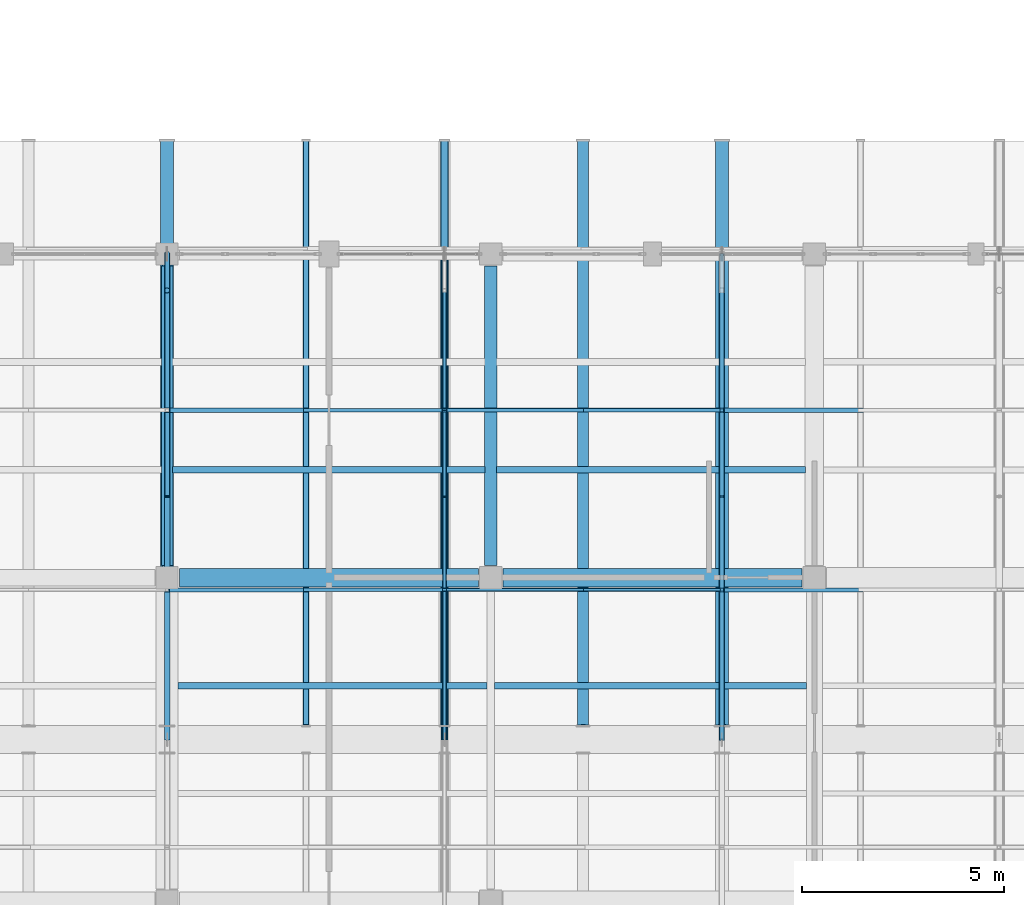
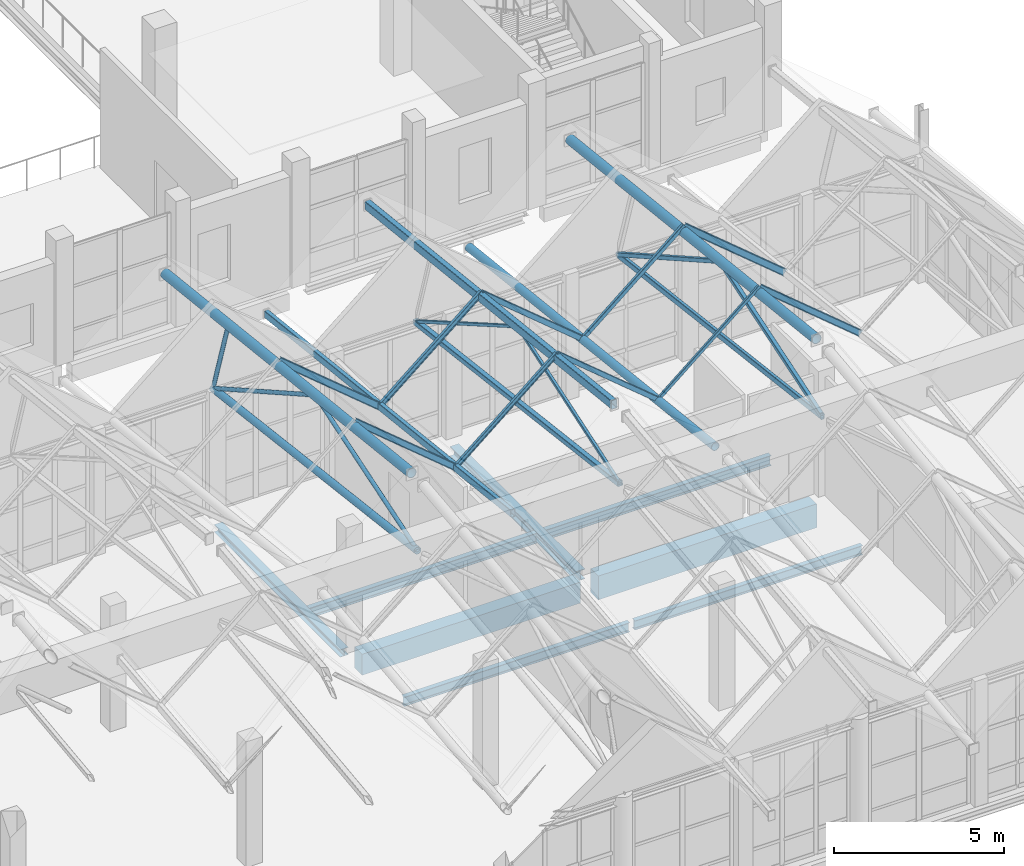
# One storey, part 80 of 183: 20 members, 13 beams.
"""IFC4 building model written with IfcOpenShell, lengths in metres."""

from ifc_helpers import new_model, si_unit, direction, frame, origin, origin_2d, place, context, subcontext, project, spatial, rectangle, hollow_rectangle, hollow_circle, i_section, extrude, material, material_profile, profile_set, type_object, element, save


model = new_model("IFC4")

# Units and contexts
model_context = context("Model", 3, precision=1e-05, world=origin(), true_north=direction((0.0, 1.0)))
body_context = subcontext(model_context, "Body", "Model", "MODEL_VIEW")
ifc_project = project(units=[si_unit("LENGTHUNIT", "METRE"), si_unit("AREAUNIT", "SQUARE_METRE"), si_unit("VOLUMEUNIT", "CUBIC_METRE"), si_unit("PLANEANGLEUNIT", "RADIAN"), si_unit("MASSUNIT", "GRAM", prefix="KILO")], contexts=[model_context])

# Site, building, storey
site_placement = place(None, origin())
site = spatial("IfcSite", under=ifc_project, at=site_placement, CompositionType="ELEMENT")
building_placement = place(site_placement, origin())
building = spatial("IfcBuilding", under=site, at=building_placement, Name="Luwemba Playhouse", CompositionType="ELEMENT")
storey_placement = place(building_placement, frame((0.0, 0.0, 4.800048828125)))
storey = spatial("IfcBuildingStorey", under=building, at=storey_placement, Name="L01", CompositionType="ELEMENT", Elevation=4.800048828125)

# Beams
ifc_material_1 = material(Name="Concrete C40/50", Category="concrete")
ifc_material_profile_1 = material_profile(ifc_material_1, rectangle(XDim=0.449951171875, YDim=0.75, at=origin_2d()))
ifc_profile_set_1 = profile_set([ifc_material_profile_1], Name="Concrete C40/50")
beam_type_1 = type_object("IfcBeamType", Name="BM-RB04", PredefinedType="BEAM", material=ifc_profile_set_1)
beam_1_placement = place(storey_placement, frame((148.300048828125, 19.0, -0.625), z_axis=(1.0, 0.0, 0.0), x_axis=(0.0, 1.0, 0.0)))
element("IfcBeam", 1, at=beam_1_placement, inside=storey, type_object=beam_type_1, Name="L01 grid girder 0534", PredefinedType="BEAM", context=body_context, shape_type="SweptSolid", body=[
    extrude(rectangle(XDim=0.449951171875, YDim=0.75, at=origin_2d()), origin(), (0.0, 0.0, 1.0), 7.39990234375),
])
ifc_material_profile_2 = material_profile(ifc_material_1, rectangle(XDim=0.449951171875, YDim=0.85009765625, at=origin_2d()))
ifc_profile_set_2 = profile_set([ifc_material_profile_2], Name="Concrete C40/50")
beam_type_2 = type_object("IfcBeamType", Name="BM-RB05", PredefinedType="BEAM", material=ifc_profile_set_2)
beam_2_placement = place(storey_placement, frame((156.300048828125, 19.0, -0.675048828125), z_axis=(1.0, 0.0, 0.0), x_axis=(0.0, 1.0, 0.0)))
element("IfcBeam", 2, at=beam_2_placement, inside=storey, type_object=beam_type_2, Name="L01 grid girder 0535", PredefinedType="BEAM", context=body_context, shape_type="SweptSolid", body=[
    extrude(rectangle(XDim=0.449951171875, YDim=0.85009765625, at=origin_2d()), origin(), (0.0, 0.0, 1.0), 7.39990234375),
])
ifc_material_2 = material(Name="Steel S355", Category="steel")
ifc_material_profile_3 = material_profile(ifc_material_2, hollow_rectangle(XDim=0.14990234375, YDim=0.25, WallThickness=0.010009765625, InnerFilletRadius=0.014892578125, OuterFilletRadius=0.02490234375, at=origin_2d()))
ifc_profile_set_3 = profile_set([ifc_material_profile_3], Name="Steel S355")
beam_type_3 = type_object("IfcBeamType", Name="BM-RTG1", PredefinedType="USERDEFINED", material=ifc_profile_set_3)
beam_3_placement = place(storey_placement, frame((151.4287109375, 15.35009765625, 5.78466796875), z_axis=(0.0, 0.993786292845, -0.111305005073), x_axis=(-1.0, 0.0, 0.0)))
element("IfcBeam", 3, at=beam_3_placement, inside=storey, type_object=beam_type_3, Name="ROOF TRUSS valley girder 0329", ObjectType="ROOF TRUSS", PredefinedType="USERDEFINED", context=body_context, shape_type="SweptSolid", body=[
    extrude(hollow_rectangle(XDim=0.14990234375, YDim=0.25, WallThickness=0.010009765625, InnerFilletRadius=0.014892578125, OuterFilletRadius=0.02490234375, at=origin_2d()), origin(), (0.0, 0.0, 1.0), 14.540283203125),
])
ifc_material_profile_4 = material_profile(ifc_material_2, hollow_rectangle(XDim=0.199951171875, YDim=0.300048828125, WallThickness=0.012451171875, InnerFilletRadius=0.018798828125, OuterFilletRadius=0.03125, at=origin_2d()))
ifc_profile_set_4 = profile_set([ifc_material_profile_4], Name="Steel S355")
beam_type_4 = type_object("IfcBeamType", Name="BM-RTG2", PredefinedType="USERDEFINED", material=ifc_profile_set_4)
beam_4_placement = place(storey_placement, frame((154.857177734375, 15.35009765625, 8.489013671875), z_axis=(0.0, 0.993786292845, -0.111305005073), x_axis=(-1.0, 0.0, 0.0)))
element("IfcBeam", 4, at=beam_4_placement, inside=storey, type_object=beam_type_4, Name="ROOF TRUSS ridge girder 0331", ObjectType="ROOF TRUSS", PredefinedType="USERDEFINED", context=body_context, shape_type="SweptSolid", body=[
    extrude(hollow_rectangle(XDim=0.199951171875, YDim=0.300048828125, WallThickness=0.012451171875, InnerFilletRadius=0.018798828125, OuterFilletRadius=0.03125, at=origin_2d()), origin(), (0.0, 0.0, 1.0), 14.540283203125),
])
ifc_material_profile_5 = material_profile(ifc_material_2, hollow_circle(Radius=0.136474609375, WallThickness=0.012451171875, at=origin_2d()))
ifc_profile_set_5 = profile_set([ifc_material_profile_5], Name="Steel S355")
beam_type_5 = type_object("IfcBeamType", Name="BM-RTG3", PredefinedType="USERDEFINED", material=ifc_profile_set_5)
beam_5_placement = place(storey_placement, frame((158.28564453125, 15.35009765625, 5.773193359375), z_axis=(0.0, 0.993786292845, -0.111305005073), x_axis=(-1.0, 0.0, 0.0)))
element("IfcBeam", 5, at=beam_5_placement, inside=storey, type_object=beam_type_5, Name="ROOF TRUSS valley girder 0333", ObjectType="ROOF TRUSS", PredefinedType="USERDEFINED", context=body_context, shape_type="SweptSolid", body=[
    extrude(hollow_circle(Radius=0.136474609375, WallThickness=0.012451171875, at=origin_2d()), origin(), (0.0, 0.0, 1.0), 14.540283203125),
])
ifc_material_profile_6 = material_profile(ifc_material_2, hollow_circle(Radius=0.161865234375, WallThickness=0.01611328125, at=origin_2d()))
ifc_profile_set_6 = profile_set([ifc_material_profile_6], Name="Steel S355")
beam_type_6 = type_object("IfcBeamType", Name="BM-RTG4", PredefinedType="USERDEFINED", material=ifc_profile_set_6)
for number, where, z_axis, x_axis, name in (
    (6, (148.0, 15.35009765625, 8.425537109375), (0.0, 0.993786292845, -0.111305005073), (-1.0, 0.0, 0.0), "ROOF TRUSS ridge girder 0327"),
    (7, (161.71435546875, 15.35009765625, 8.425537109375), (0.0, 0.993786292845, -0.111305005073), (-1.0, 0.0, 0.0), "ROOF TRUSS ridge girder 0335"),
):
    element("IfcBeam", number, at=place(storey_placement, frame(where, z_axis=z_axis, x_axis=x_axis)), inside=storey, type_object=beam_type_6, Name=name, ObjectType="ROOF TRUSS", PredefinedType="USERDEFINED", context=body_context, shape_type="SweptSolid", body=[
        extrude(hollow_circle(Radius=0.161865234375, WallThickness=0.01611328125, at=origin_2d()), origin(), (0.0, 0.0, 1.0), 14.540283203125),
    ])
ifc_material_profile_7 = material_profile(ifc_material_2, i_section(OverallWidth=0.280029296875, OverallDepth=0.27001953125, WebThickness=0.008056640625, FlangeThickness=0.012939453125, FilletRadius=0.02392578125, at=origin_2d()))
ifc_profile_set_7 = profile_set([ifc_material_profile_7], Name="Steel S355")
beam_type_7 = type_object("IfcBeamType", Name="BM-SB02", PredefinedType="BEAM", material=ifc_profile_set_7)
beam_6_placement = place(storey_placement, frame((148.0, 19.300048828125, -0.385009765625), z_axis=(0.0, 1.0, 0.0), x_axis=(-1.0, 0.0, 0.0)))
element("IfcBeam", 8, at=beam_6_placement, inside=storey, type_object=beam_type_7, Name="L01 transverse girder 0554", PredefinedType="BEAM", context=body_context, shape_type="SweptSolid", body=[
    extrude(i_section(OverallWidth=0.280029296875, OverallDepth=0.27001953125, WebThickness=0.008056640625, FlangeThickness=0.012939453125, FilletRadius=0.02392578125, at=origin_2d()), origin(), (0.0, 0.0, 1.0), 7.39990234375),
])
ifc_material_profile_8 = material_profile(ifc_material_2, i_section(OverallWidth=0.300048828125, OverallDepth=0.360107421875, WebThickness=0.012451171875, FlangeThickness=0.0224609375, FilletRadius=0.027099609375, at=origin_2d()))
ifc_profile_set_8 = profile_set([ifc_material_profile_8], Name="Steel S355")
beam_type_8 = type_object("IfcBeamType", Name="BM-SB09", PredefinedType="BEAM", material=ifc_profile_set_8)
beam_7_placement = place(storey_placement, frame((156.0, 19.300048828125, -0.429931640625), z_axis=(0.0, 1.0, 0.0), x_axis=(-1.0, 0.0, 0.0)))
element("IfcBeam", 9, at=beam_7_placement, inside=storey, type_object=beam_type_8, Name="L01 transverse girder 0557", PredefinedType="BEAM", context=body_context, shape_type="SweptSolid", body=[
    extrude(i_section(OverallWidth=0.300048828125, OverallDepth=0.360107421875, WebThickness=0.012451171875, FlangeThickness=0.0224609375, FilletRadius=0.027099609375, at=origin_2d()), origin(), (0.0, 0.0, 1.0), 7.39990234375),
])
ifc_material_profile_9 = material_profile(ifc_material_2, i_section(OverallWidth=0.159912109375, OverallDepth=0.330078125, WebThickness=0.007568359375, FlangeThickness=0.011474609375, FilletRadius=0.01806640625, at=origin_2d()))
ifc_profile_set_9 = profile_set([ifc_material_profile_9], Name="Steel S355")
beam_type_9 = type_object("IfcBeamType", Name="BM-SJ06", PredefinedType="JOIST", material=ifc_profile_set_9)
beam_8_placement = place(storey_placement, frame((148.27099609375, 16.333251953125, -0.4150390625), z_axis=(1.0, 0.0, 0.0), x_axis=(0.0, 1.0, 0.0)))
element("IfcBeam", 10, at=beam_8_placement, inside=storey, type_object=beam_type_9, Name="L01 composite floor joist 0325", PredefinedType="JOIST", context=body_context, shape_type="SweptSolid", body=[
    extrude(i_section(OverallWidth=0.159912109375, OverallDepth=0.330078125, WebThickness=0.007568359375, FlangeThickness=0.011474609375, FilletRadius=0.01806640625, at=origin_2d()), origin(), (0.0, 0.0, 1.0), 7.637939453125),
])
beam_9_placement = place(storey_placement, frame((156.091064453125, 16.333251953125, -0.4150390625), z_axis=(1.0, 0.0, 0.0), x_axis=(0.0, 1.0, 0.0)))
element("IfcBeam", 11, at=beam_9_placement, inside=storey, type_object=beam_type_9, Name="L01 composite floor joist 0331", PredefinedType="JOIST", context=body_context, shape_type="SweptSolid", body=[
    extrude(i_section(OverallWidth=0.159912109375, OverallDepth=0.330078125, WebThickness=0.007568359375, FlangeThickness=0.011474609375, FilletRadius=0.01806640625, at=origin_2d()), origin(), (0.0, 0.0, 1.0), 7.712890625),
])
ifc_material_profile_10 = material_profile(ifc_material_2, i_section(OverallWidth=0.169921875, OverallDepth=0.360107421875, WebThickness=0.008056640625, FlangeThickness=0.0126953125, FilletRadius=0.01806640625, at=origin_2d()))
ifc_profile_set_10 = profile_set([ifc_material_profile_10], Name="Steel S355")
beam_type_10 = type_object("IfcBeamType", Name="BM-SJ07", PredefinedType="JOIST", material=ifc_profile_set_10)
beam_10_placement = place(storey_placement, frame((148.135986328125, 21.666748046875, -0.429931640625), z_axis=(1.0, 0.0, 0.0), x_axis=(0.0, 1.0, 0.0)))
element("IfcBeam", 12, at=beam_10_placement, inside=storey, type_object=beam_type_10, Name="L01 composite floor joist 0326", PredefinedType="JOIST", context=body_context, shape_type="SweptSolid", body=[
    extrude(i_section(OverallWidth=0.169921875, OverallDepth=0.360107421875, WebThickness=0.008056640625, FlangeThickness=0.0126953125, FilletRadius=0.01806640625, at=origin_2d()), origin(), (0.0, 0.0, 1.0), 7.718017578125),
])
beam_11_placement = place(storey_placement, frame((156.14599609375, 21.666748046875, -0.429931640625), z_axis=(1.0, 0.0, 0.0), x_axis=(0.0, 1.0, 0.0)))
element("IfcBeam", 13, at=beam_11_placement, inside=storey, type_object=beam_type_10, Name="L01 composite floor joist 0332", PredefinedType="JOIST", context=body_context, shape_type="SweptSolid", body=[
    extrude(i_section(OverallWidth=0.169921875, OverallDepth=0.360107421875, WebThickness=0.008056640625, FlangeThickness=0.0126953125, FilletRadius=0.01806640625, at=origin_2d()), origin(), (0.0, 0.0, 1.0), 7.633056640625),
])

# Members
ifc_material_profile_11 = material_profile(ifc_material_2, hollow_circle(Radius=0.06982421875, WallThickness=0.008056640625, at=origin_2d()))
ifc_profile_set_11 = profile_set([ifc_material_profile_11], Name="Steel S355")
member_type_1 = type_object("IfcMemberType", Name="MEM-MB01", PredefinedType="BRACE", material=ifc_profile_set_11)
member_1_placement = place(storey_placement, frame((148.0, 15.0, 5.864013671875), z_axis=(0.0, 0.952022112225, 0.306029243432), x_axis=(-1.0, 0.0, 0.0)))
element("IfcMember", 14, at=member_1_placement, inside=storey, type_object=member_type_1, Name="ROOF TRUSS web diagonal 0287", PredefinedType="BRACE", context=body_context, shape_type="SweptSolid", body=[
    extrude(hollow_circle(Radius=0.06982421875, WallThickness=0.008056640625, at=origin_2d()), origin(), (0.0, 0.0, 1.0), 6.302490234375),
])
member_2_placement = place(storey_placement, frame((148.0, 27.0, 4.39990234375), z_axis=(0.0, -0.870468489249, 0.492224145308), x_axis=(1.0, 0.0, 0.0)))
element("IfcMember", 15, at=member_2_placement, inside=storey, type_object=member_type_1, Name="ROOF TRUSS web diagonal 0288", PredefinedType="BRACE", context=body_context, shape_type="SweptSolid", body=[
    extrude(hollow_circle(Radius=0.06982421875, WallThickness=0.008056640625, at=origin_2d()), origin(), (0.0, 0.0, 1.0), 6.892822265625),
])
member_3_placement = place(storey_placement, frame((148.0, 27.0, 4.39990234375), z_axis=(0.0, -0.303860291907, 0.95271660162), x_axis=(1.0, 0.0, 0.0)))
element("IfcMember", 16, at=member_3_placement, inside=storey, type_object=member_type_1, Name="ROOF TRUSS eave knee strut 0079", PredefinedType="BRACE", context=body_context, shape_type="SweptSolid", body=[
    extrude(hollow_circle(Radius=0.06982421875, WallThickness=0.008056640625, at=origin_2d()), origin(), (0.0, 0.0, 1.0), 2.961669921875),
])
ifc_material_profile_12 = material_profile(ifc_material_2, hollow_rectangle(XDim=0.10009765625, YDim=0.10009765625, WallThickness=0.00634765625, InnerFilletRadius=0.009521484375, OuterFilletRadius=0.015869140625, at=origin_2d()))
ifc_profile_set_12 = profile_set([ifc_material_profile_12], Name="Steel S355")
member_type_2 = type_object("IfcMemberType", Name="MEM-MB05", PredefinedType="BRACE", material=ifc_profile_set_12)
member_4_placement = place(storey_placement, frame((154.857177734375, 15.0, 5.864013671875), z_axis=(0.0, 0.949053370106, 0.315115376793), x_axis=(-1.0, 0.0, 0.0)))
element("IfcMember", 17, at=member_4_placement, inside=storey, type_object=member_type_2, Name="ROOF TRUSS web diagonal 0293", PredefinedType="BRACE", context=body_context, shape_type="SweptSolid", body=[
    extrude(hollow_rectangle(XDim=0.10009765625, YDim=0.10009765625, WallThickness=0.00634765625, InnerFilletRadius=0.009521484375, OuterFilletRadius=0.015869140625, at=origin_2d()), origin(), (0.0, 0.0, 1.0), 6.322021484375),
])
member_5_placement = place(storey_placement, frame((154.857177734375, 27.0, 4.39990234375), z_axis=(0.0, -0.866512940122, 0.499154609917), x_axis=(1.0, 0.0, 0.0)))
element("IfcMember", 18, at=member_5_placement, inside=storey, type_object=member_type_2, Name="ROOF TRUSS web diagonal 0294", PredefinedType="BRACE", context=body_context, shape_type="SweptSolid", body=[
    extrude(hollow_rectangle(XDim=0.10009765625, YDim=0.10009765625, WallThickness=0.00634765625, InnerFilletRadius=0.009521484375, OuterFilletRadius=0.015869140625, at=origin_2d()), origin(), (0.0, 0.0, 1.0), 6.92431640625),
])
ifc_material_profile_13 = material_profile(ifc_material_2, hollow_rectangle(XDim=0.139892578125, YDim=0.139892578125, WallThickness=0.008056640625, InnerFilletRadius=0.011962890625, OuterFilletRadius=0.02001953125, at=origin_2d()))
ifc_profile_set_13 = profile_set([ifc_material_profile_13], Name="Steel S355")
member_type_3 = type_object("IfcMemberType", Name="MEM-MB07", PredefinedType="BRACE", material=ifc_profile_set_13)
member_6_placement = place(storey_placement, frame((161.71435546875, 15.0, 5.864013671875), z_axis=(0.0, 0.952022112225, 0.306029243432), x_axis=(-1.0, 0.0, 0.0)))
element("IfcMember", 19, at=member_6_placement, inside=storey, type_object=member_type_3, Name="ROOF TRUSS web diagonal 0299", PredefinedType="BRACE", context=body_context, shape_type="SweptSolid", body=[
    extrude(hollow_rectangle(XDim=0.139892578125, YDim=0.139892578125, WallThickness=0.008056640625, InnerFilletRadius=0.011962890625, OuterFilletRadius=0.02001953125, at=origin_2d()), origin(), (0.0, 0.0, 1.0), 6.302490234375),
])
member_7_placement = place(storey_placement, frame((161.71435546875, 27.0, 4.39990234375), z_axis=(0.0, -0.870468489249, 0.492224145308), x_axis=(1.0, 0.0, 0.0)))
element("IfcMember", 20, at=member_7_placement, inside=storey, type_object=member_type_3, Name="ROOF TRUSS web diagonal 0300", PredefinedType="BRACE", context=body_context, shape_type="SweptSolid", body=[
    extrude(hollow_rectangle(XDim=0.139892578125, YDim=0.139892578125, WallThickness=0.008056640625, InnerFilletRadius=0.011962890625, OuterFilletRadius=0.02001953125, at=origin_2d()), origin(), (0.0, 0.0, 1.0), 6.892822265625),
])
ifc_material_profile_14 = material_profile(ifc_material_2, hollow_circle(Radius=0.122314453125, WallThickness=0.012451171875, at=origin_2d()))
ifc_profile_set_14 = profile_set([ifc_material_profile_14], Name="Steel S355")
member_type_4 = type_object("IfcMemberType", Name="MEM-MC01", PredefinedType="CHORD", material=ifc_profile_set_14)
member_8_placement = place(storey_placement, frame((148.0, 15.0, 5.864013671875), z_axis=(0.0, 0.992638950812, -0.121111161052), x_axis=(-1.0, 0.0, 0.0)))
element("IfcMember", 21, at=member_8_placement, inside=storey, type_object=member_type_4, Name="ROOF TRUSS north bottom chord 0284", PredefinedType="CHORD", context=body_context, shape_type="SweptSolid", body=[
    extrude(hollow_circle(Radius=0.122314453125, WallThickness=0.012451171875, at=origin_2d()), origin(), (0.0, 0.0, 1.0), 12.0888671875),
])
ifc_material_profile_15 = material_profile(ifc_material_2, hollow_rectangle(XDim=0.179931640625, YDim=0.179931640625, WallThickness=0.010009765625, InnerFilletRadius=0.014892578125, OuterFilletRadius=0.02490234375, at=origin_2d()))
ifc_profile_set_15 = profile_set([ifc_material_profile_15], Name="Steel S355")
member_type_5 = type_object("IfcMemberType", Name="MEM-MC03", PredefinedType="CHORD", material=ifc_profile_set_15)
member_9_placement = place(storey_placement, frame((154.857177734375, 15.0, 5.864013671875), z_axis=(0.0, 0.992638950812, -0.121111161052), x_axis=(-1.0, 0.0, 0.0)))
element("IfcMember", 22, at=member_9_placement, inside=storey, type_object=member_type_5, Name="ROOF TRUSS north bottom chord 0290", PredefinedType="CHORD", context=body_context, shape_type="SweptSolid", body=[
    extrude(hollow_rectangle(XDim=0.179931640625, YDim=0.179931640625, WallThickness=0.010009765625, InnerFilletRadius=0.014892578125, OuterFilletRadius=0.02490234375, at=origin_2d()), origin(), (0.0, 0.0, 1.0), 12.0888671875),
])
ifc_material_profile_16 = material_profile(ifc_material_2, hollow_rectangle(XDim=0.1201171875, YDim=0.199951171875, WallThickness=0.010009765625, InnerFilletRadius=0.014892578125, OuterFilletRadius=0.02490234375, at=origin_2d()))
ifc_profile_set_16 = profile_set([ifc_material_profile_16], Name="Steel S355")
member_type_6 = type_object("IfcMemberType", Name="MEM-MC05", PredefinedType="CHORD", material=ifc_profile_set_16)
member_10_placement = place(storey_placement, frame((161.71435546875, 15.0, 5.864013671875), z_axis=(0.0, 0.992638950812, -0.121111161052), x_axis=(-1.0, 0.0, 0.0)))
element("IfcMember", 23, at=member_10_placement, inside=storey, type_object=member_type_6, Name="ROOF TRUSS north bottom chord 0296", PredefinedType="CHORD", context=body_context, shape_type="SweptSolid", body=[
    extrude(hollow_rectangle(XDim=0.1201171875, YDim=0.199951171875, WallThickness=0.010009765625, InnerFilletRadius=0.014892578125, OuterFilletRadius=0.02490234375, at=origin_2d()), origin(), (0.0, 0.0, 1.0), 12.0888671875),
])
ifc_material_profile_17 = material_profile(ifc_material_2, hollow_rectangle(XDim=0.080078125, YDim=0.1201171875, WallThickness=0.00634765625, InnerFilletRadius=0.009521484375, OuterFilletRadius=0.015869140625, at=origin_2d()))
ifc_profile_set_17 = profile_set([ifc_material_profile_17], Name="Steel S355")
member_type_7 = type_object("IfcMemberType", Name="MEM-MP01", PredefinedType="PURLIN", material=ifc_profile_set_17)
member_11_placement = place(storey_placement, frame((158.28564453125, 18.699951171875, 5.446044921875), z_axis=(0.768337860515, 0.0, 0.640044476657), x_axis=(0.0, 1.0, 0.0)))
element("IfcMember", 24, at=member_11_placement, inside=storey, type_object=member_type_7, Name="Pleated roof purlin 0592", PredefinedType="PURLIN", context=body_context, shape_type="SweptSolid", body=[
    extrude(hollow_rectangle(XDim=0.080078125, YDim=0.1201171875, WallThickness=0.00634765625, InnerFilletRadius=0.009521484375, OuterFilletRadius=0.015869140625, at=origin_2d()), origin(), (0.0, 0.0, 1.0), 4.46240234375),
])
ifc_material_profile_18 = material_profile(ifc_material_2, hollow_rectangle(XDim=0.10009765625, YDim=0.14990234375, WallThickness=0.008056640625, InnerFilletRadius=0.011962890625, OuterFilletRadius=0.02001953125, at=origin_2d()))
ifc_profile_set_18 = profile_set([ifc_material_profile_18], Name="Steel S355")
member_type_8 = type_object("IfcMemberType", Name="MEM-MP02", PredefinedType="PURLIN", material=ifc_profile_set_18)
member_12_placement = place(storey_placement, frame((158.28564453125, 23.139892578125, 4.925537109375), z_axis=(0.768364765209, 0.0, 0.640012177685), x_axis=(0.0, 1.0, 0.0)))
element("IfcMember", 25, at=member_12_placement, inside=storey, type_object=member_type_8, Name="Pleated roof purlin 0593", PredefinedType="PURLIN", context=body_context, shape_type="SweptSolid", body=[
    extrude(hollow_rectangle(XDim=0.10009765625, YDim=0.14990234375, WallThickness=0.008056640625, InnerFilletRadius=0.011962890625, OuterFilletRadius=0.02001953125, at=origin_2d()), origin(), (0.0, 0.0, 1.0), 4.46240234375),
])
ifc_material_profile_19 = material_profile(ifc_material_2, hollow_rectangle(XDim=0.080078125, YDim=0.159912109375, WallThickness=0.00634765625, InnerFilletRadius=0.009521484375, OuterFilletRadius=0.015869140625, at=origin_2d()))
ifc_profile_set_19 = profile_set([ifc_material_profile_19], Name="Steel S355")
member_type_9 = type_object("IfcMemberType", Name="MEM-MP03", PredefinedType="PURLIN", material=ifc_profile_set_19)
member_13_placement = place(storey_placement, frame((154.857177734375, 18.699951171875, 8.2822265625), z_axis=(0.768342353216, 0.0, -0.640039083381), x_axis=(0.0, 1.0, 0.0)))
element("IfcMember", 26, at=member_13_placement, inside=storey, type_object=member_type_9, Name="Pleated roof purlin 0586", PredefinedType="PURLIN", context=body_context, shape_type="SweptSolid", body=[
    extrude(hollow_rectangle(XDim=0.080078125, YDim=0.159912109375, WallThickness=0.00634765625, InnerFilletRadius=0.009521484375, OuterFilletRadius=0.015869140625, at=origin_2d()), origin(), (0.0, 0.0, 1.0), 4.462158203125),
])
ifc_material_profile_20 = material_profile(ifc_material_2, hollow_rectangle(XDim=0.10009765625, YDim=0.179931640625, WallThickness=0.008056640625, InnerFilletRadius=0.011962890625, OuterFilletRadius=0.02001953125, at=origin_2d()))
ifc_profile_set_20 = profile_set([ifc_material_profile_20], Name="Steel S355")
member_type_10 = type_object("IfcMemberType", Name="MEM-MP04", PredefinedType="PURLIN", material=ifc_profile_set_20)
member_14_placement = place(storey_placement, frame((154.857177734375, 23.139892578125, 7.7666015625), z_axis=(0.768315447045, 0.0, -0.640071381826), x_axis=(0.0, 1.0, 0.0)))
element("IfcMember", 27, at=member_14_placement, inside=storey, type_object=member_type_10, Name="Pleated roof purlin 0587", PredefinedType="PURLIN", context=body_context, shape_type="SweptSolid", body=[
    extrude(hollow_rectangle(XDim=0.10009765625, YDim=0.179931640625, WallThickness=0.008056640625, InnerFilletRadius=0.011962890625, OuterFilletRadius=0.02001953125, at=origin_2d()), origin(), (0.0, 0.0, 1.0), 4.46240234375),
])
ifc_material_profile_21 = material_profile(ifc_material_2, i_section(OverallWidth=0.08203125, OverallDepth=0.159912109375, WebThickness=0.0048828125, FlangeThickness=0.00732421875, FilletRadius=0.009033203125, at=origin_2d()))
ifc_profile_set_21 = profile_set([ifc_material_profile_21], Name="Steel S355")
member_type_11 = type_object("IfcMemberType", Name="MEM-MP05", PredefinedType="PURLIN", material=ifc_profile_set_21)
member_15_placement = place(storey_placement, frame((151.4287109375, 18.699951171875, 5.42529296875), z_axis=(0.768342353216, 0.0, 0.640039083381), x_axis=(0.0, 1.0, 0.0)))
element("IfcMember", 28, at=member_15_placement, inside=storey, type_object=member_type_11, Name="Pleated roof purlin 0580", PredefinedType="PURLIN", context=body_context, shape_type="SweptSolid", body=[
    extrude(i_section(OverallWidth=0.08203125, OverallDepth=0.159912109375, WebThickness=0.0048828125, FlangeThickness=0.00732421875, FilletRadius=0.009033203125, at=origin_2d()), origin(), (0.0, 0.0, 1.0), 4.462158203125),
])
ifc_material_profile_22 = material_profile(ifc_material_2, i_section(OverallWidth=0.091064453125, OverallDepth=0.179931640625, WebThickness=0.00537109375, FlangeThickness=0.008056640625, FilletRadius=0.009033203125, at=origin_2d()))
ifc_profile_set_22 = profile_set([ifc_material_profile_22], Name="Steel S355")
member_type_12 = type_object("IfcMemberType", Name="MEM-MP06", PredefinedType="PURLIN", material=ifc_profile_set_22)
member_16_placement = place(storey_placement, frame((151.4287109375, 23.139892578125, 4.914306640625), z_axis=(0.768342353216, 0.0, 0.640039083381), x_axis=(0.0, 1.0, 0.0)))
element("IfcMember", 29, at=member_16_placement, inside=storey, type_object=member_type_12, Name="Pleated roof purlin 0581", PredefinedType="PURLIN", context=body_context, shape_type="SweptSolid", body=[
    extrude(i_section(OverallWidth=0.091064453125, OverallDepth=0.179931640625, WebThickness=0.00537109375, FlangeThickness=0.008056640625, FilletRadius=0.009033203125, at=origin_2d()), origin(), (0.0, 0.0, 1.0), 4.462158203125),
])
ifc_material_profile_23 = material_profile(ifc_material_2, i_section(OverallWidth=0.10009765625, OverallDepth=0.199951171875, WebThickness=0.005615234375, FlangeThickness=0.008544921875, FilletRadius=0.011962890625, at=origin_2d()))
ifc_profile_set_23 = profile_set([ifc_material_profile_23], Name="Steel S355")
member_type_13 = type_object("IfcMemberType", Name="MEM-MP07", PredefinedType="PURLIN", material=ifc_profile_set_23)
member_17_placement = place(storey_placement, frame((148.0, 18.699951171875, 8.253662109375), z_axis=(0.768364765209, 0.0, -0.640012177685), x_axis=(0.0, 1.0, 0.0)))
element("IfcMember", 30, at=member_17_placement, inside=storey, type_object=member_type_13, Name="Pleated roof purlin 0574", PredefinedType="PURLIN", context=body_context, shape_type="SweptSolid", body=[
    extrude(i_section(OverallWidth=0.10009765625, OverallDepth=0.199951171875, WebThickness=0.005615234375, FlangeThickness=0.008544921875, FilletRadius=0.011962890625, at=origin_2d()), origin(), (0.0, 0.0, 1.0), 4.46240234375),
])
member_18_placement = place(storey_placement, frame((161.71435546875, 18.699951171875, 8.253662109375), z_axis=(0.768342353216, 0.0, -0.640039083381), x_axis=(0.0, 1.0, 0.0)))
element("IfcMember", 31, at=member_18_placement, inside=storey, type_object=member_type_13, Name="Pleated roof purlin 0598", PredefinedType="PURLIN", context=body_context, shape_type="SweptSolid", body=[
    extrude(i_section(OverallWidth=0.10009765625, OverallDepth=0.199951171875, WebThickness=0.005615234375, FlangeThickness=0.008544921875, FilletRadius=0.011962890625, at=origin_2d()), origin(), (0.0, 0.0, 1.0), 4.462158203125),
])
ifc_material_profile_24 = material_profile(ifc_material_2, i_section(OverallWidth=0.110107421875, OverallDepth=0.219970703125, WebThickness=0.005859375, FlangeThickness=0.00927734375, FilletRadius=0.011962890625, at=origin_2d()))
ifc_profile_set_24 = profile_set([ifc_material_profile_24], Name="Steel S355")
member_type_14 = type_object("IfcMemberType", Name="MEM-MP08", PredefinedType="PURLIN", material=ifc_profile_set_24)
for number, where, z_axis, x_axis, name in (
    (32, (148.0, 23.139892578125, 7.742431640625), (0.768337860515, 0.0, -0.640044476657), (0.0, 1.0, 0.0), "Pleated roof purlin 0575"),
    (33, (161.71435546875, 23.139892578125, 7.742431640625), (0.768315447045, 0.0, -0.640071381826), (0.0, 1.0, 0.0), "Pleated roof purlin 0599"),
):
    element("IfcMember", number, at=place(storey_placement, frame(where, z_axis=z_axis, x_axis=x_axis)), inside=storey, type_object=member_type_14, Name=name, PredefinedType="PURLIN", context=body_context, shape_type="SweptSolid", body=[
        extrude(i_section(OverallWidth=0.110107421875, OverallDepth=0.219970703125, WebThickness=0.005859375, FlangeThickness=0.00927734375, FilletRadius=0.011962890625, at=origin_2d()), origin(), (0.0, 0.0, 1.0), 4.46240234375),
    ])

save(model, "model.ifc")
